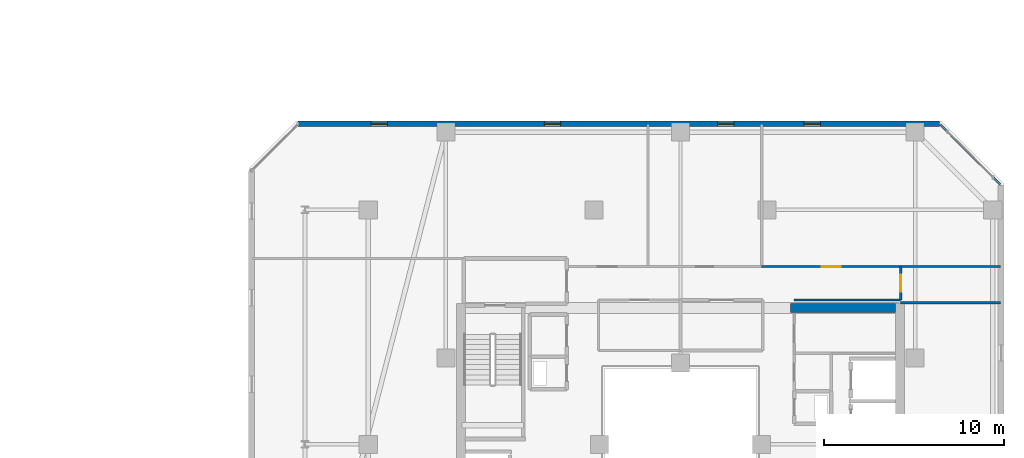
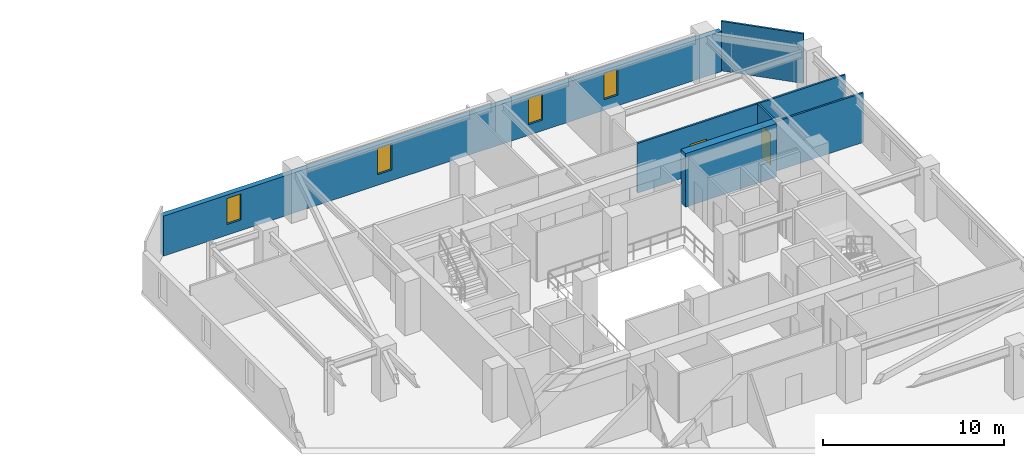
# One storey, part 26 of 33: 8 walls, 4 windows, 2 doors, 6 openings.
"""IFC4 building model written with IfcOpenShell, lengths in metres."""

from ifc_helpers import new_model, si_unit, direction, frame, frame_2d, origin, place, context, subcontext, project, spatial, rectangle, extrude, material, layer, layer_set, type_object, element, fill, save


model = new_model("IFC4")

# Units and contexts
model_context = context("Model", 3, precision=1e-05, world=origin(), true_north=direction((0.0, 1.0)))
body_context = subcontext(model_context, "Body", "Model", "MODEL_VIEW")
ifc_project = project(units=[si_unit("LENGTHUNIT", "METRE"), si_unit("AREAUNIT", "SQUARE_METRE"), si_unit("VOLUMEUNIT", "CUBIC_METRE"), si_unit("PLANEANGLEUNIT", "RADIAN"), si_unit("MASSUNIT", "GRAM", prefix="KILO")], contexts=[model_context])

# Site, building, storey
site_placement = place(None, origin())
site = spatial("IfcSite", under=ifc_project, at=site_placement, CompositionType="ELEMENT")
building_placement = place(site_placement, origin())
building = spatial("IfcBuilding", under=site, at=building_placement, Name="Thornwick Lancets Civic Towers", CompositionType="ELEMENT")
storey_placement = place(building_placement, frame((0.0, 0.0, 210.89990234375)))
storey = spatial("IfcBuildingStorey", under=building, at=storey_placement, Name="L56", CompositionType="ELEMENT", Elevation=210.89990234375)

# Wall
ifc_material_1 = material(Name="Concrete C50/60", Category="concrete")
ifc_layer_1 = layer(ifc_material_1, 0.5, Name="Concrete C50/60")
ifc_layer_set_1 = layer_set([ifc_layer_1], Name="Concrete C50/60")
wall_type_1 = type_object("IfcWallType", Name="WALL_CORE_500", PredefinedType="SHEAR", material=ifc_layer_set_1)
wall_1_placement = place(storey_placement, frame((94.60009765625, 34.550048828125, 0.0), z_axis=(0.0, 0.0, 1.0), x_axis=(1.0, 0.0, 0.0)))
element("IfcWall", 1, at=wall_1_placement, inside=storey, type_object=wall_type_1, Name="L56 Split Core B1 Shear Wall N", PredefinedType="SHEAR", context=body_context, shape_type="SweptSolid", body=[
    extrude(rectangle(XDim=5.7998046875, YDim=0.5, at=frame_2d((2.89990234375, 0.0))), origin(), (0.0, 0.0, 1.0), 3.60009765625),
])

# Wall, openings, windows
ifc_material_2 = material(Name="Insulated buff terracotta rainscreen on concrete C40/50", Category="masonry")
ifc_layer_2 = layer(ifc_material_2, 0.320068359375, Name="Insulated buff terracotta rainscreen on concrete C40/50")
ifc_layer_set_2 = layer_set([ifc_layer_2], Name="Insulated buff terracotta rainscreen on concrete C40/50")
wall_type_2 = type_object("IfcWallType", Name="WALL_EXT_TERRA_320", PredefinedType="STANDARD", material=ifc_layer_set_2)
wall_2_placement = place(storey_placement, frame((102.853515625, 44.761962890625, 0.0), z_axis=(0.0, 0.0, 1.0), x_axis=(-0.999999997144, 7.5574884e-05, 0.0)))
wall_2 = element("IfcWall", 2, at=wall_2_placement, inside=storey, type_object=wall_type_2, Name="L56 Tower B Terracotta Facade Wall E4", PredefinedType="STANDARD", context=body_context, shape_type="SweptSolid", body=[
    extrude(rectangle(XDim=35.534912109375, YDim=0.320068359375, at=frame_2d((17.767578125, 0.0))), origin(), (0.0, 0.0, 1.0), 2.7001953125),
])
opening_1_placement = place(wall_2_placement, frame((6.60009765625, 0.0, 0.719970703125)))
opening_1 = element("IfcOpeningElement", 3, at=opening_1_placement, cuts=wall_2, Name="Opening WL-01", PredefinedType="OPENING", context=body_context, shape_type="SweptSolid", body=[
    extrude(rectangle(XDim=0.89990234375, YDim=1.75, at=frame_2d((0.449951171875, 0.875))), frame((0.0, 0.169921875, 0.0), z_axis=(0.0, -1.0, 0.0), x_axis=(1.0, 0.0, 0.0)), (0.0, 0.0, 1.0), 0.340087890625),
])
opening_2_placement = place(wall_2_placement, frame((11.39990234375, 0.0, 0.719970703125)))
opening_2 = element("IfcOpeningElement", 4, at=opening_2_placement, cuts=wall_2, Name="Opening WL-01", PredefinedType="OPENING", context=body_context, shape_type="SweptSolid", body=[
    extrude(rectangle(XDim=0.89990234375, YDim=1.75, at=frame_2d((0.449951171875, 0.875))), frame((0.0, 0.169921875, 0.0), z_axis=(0.0, -1.0, 0.0), x_axis=(1.0, 0.0, 0.0)), (0.0, 0.0, 1.0), 0.340087890625),
])
opening_3_placement = place(wall_2_placement, frame((21.0, 0.0, 0.719970703125)))
opening_3 = element("IfcOpeningElement", 5, at=opening_3_placement, cuts=wall_2, Name="Opening WL-01", PredefinedType="OPENING", context=body_context, shape_type="SweptSolid", body=[
    extrude(rectangle(XDim=0.89990234375, YDim=1.75, at=frame_2d((0.449951171875, 0.875))), frame((0.0, 0.169921875, 0.0), z_axis=(0.0, -1.0, 0.0), x_axis=(1.0, 0.0, 0.0)), (0.0, 0.0, 1.0), 0.340087890625),
])
opening_4_placement = place(wall_2_placement, frame((30.60009765625, 0.0, 0.719970703125)))
opening_4 = element("IfcOpeningElement", 6, at=opening_4_placement, cuts=wall_2, Name="Opening WL-01", PredefinedType="OPENING", context=body_context, shape_type="SweptSolid", body=[
    extrude(rectangle(XDim=0.89990234375, YDim=1.75, at=frame_2d((0.449951171875, 0.875))), frame((0.0, 0.169921875, 0.0), z_axis=(0.0, -1.0, 0.0), x_axis=(1.0, 0.0, 0.0)), (0.0, 0.0, 1.0), 0.340087890625),
])
ifc_material_3 = material(Name="Clear low-e double glazing in bronze frame", Category="glass")
window_type = type_object("IfcWindowType", Name="WIN_LANCET_900", PartitioningType="SINGLE_PANEL", PredefinedType="WINDOW", material=ifc_material_3)
window_1_placement = place(opening_1_placement, origin())
window_1 = element("IfcWindow", 7, at=window_1_placement, inside=storey, type_object=window_type, Name="L56 Tower B Staggered Lancet Window E4-1", OverallHeight=1.75, OverallWidth=0.89990234375, PartitioningType="SINGLE_PANEL", PredefinedType="WINDOW", context=body_context, shape_type="SweptSolid", body=[
    extrude(rectangle(XDim=0.89990234375, YDim=1.75, at=frame_2d((0.449951171875, 0.875))), frame((0.0, 0.030029296875, 0.0), z_axis=(0.0, -1.0, 0.0), x_axis=(1.0, 0.0, 0.0)), (0.0, 0.0, 1.0), 0.06005859375),
])
fill(opening_1, window_1)
window_2_placement = place(opening_2_placement, origin())
window_2 = element("IfcWindow", 8, at=window_2_placement, inside=storey, type_object=window_type, Name="L56 Tower B Staggered Lancet Window E4-2", OverallHeight=1.75, OverallWidth=0.89990234375, PartitioningType="SINGLE_PANEL", PredefinedType="WINDOW", context=body_context, shape_type="SweptSolid", body=[
    extrude(rectangle(XDim=0.89990234375, YDim=1.75, at=frame_2d((0.449951171875, 0.875))), frame((0.0, 0.030029296875, 0.0), z_axis=(0.0, -1.0, 0.0), x_axis=(1.0, 0.0, 0.0)), (0.0, 0.0, 1.0), 0.06005859375),
])
fill(opening_2, window_2)
window_3_placement = place(opening_3_placement, origin())
window_3 = element("IfcWindow", 9, at=window_3_placement, inside=storey, type_object=window_type, Name="L56 Tower B Staggered Lancet Window E4-3", OverallHeight=1.75, OverallWidth=0.89990234375, PartitioningType="SINGLE_PANEL", PredefinedType="WINDOW", context=body_context, shape_type="SweptSolid", body=[
    extrude(rectangle(XDim=0.89990234375, YDim=1.75, at=frame_2d((0.449951171875, 0.875))), frame((0.0, 0.030029296875, 0.0), z_axis=(0.0, -1.0, 0.0), x_axis=(1.0, 0.0, 0.0)), (0.0, 0.0, 1.0), 0.06005859375),
])
fill(opening_3, window_3)
window_4_placement = place(opening_4_placement, origin())
window_4 = element("IfcWindow", 10, at=window_4_placement, inside=storey, type_object=window_type, Name="L56 Tower B Staggered Lancet Window E4-4", OverallHeight=1.75, OverallWidth=0.89990234375, PartitioningType="SINGLE_PANEL", PredefinedType="WINDOW", context=body_context, shape_type="SweptSolid", body=[
    extrude(rectangle(XDim=0.89990234375, YDim=1.75, at=frame_2d((0.449951171875, 0.875))), frame((0.0, 0.030029296875, 0.0), z_axis=(0.0, -1.0, 0.0), x_axis=(1.0, 0.0, 0.0)), (0.0, 0.0, 1.0), 0.06005859375),
])
fill(opening_4, window_4)

# Wall
ifc_material_4 = material(Name="Acoustic gypsum board partition")
ifc_layer_3 = layer(ifc_material_4, 0.1201171875, Name="Acoustic gypsum board partition")
ifc_layer_set_3 = layer_set([ifc_layer_3], Name="Acoustic gypsum board partition")
wall_type_3 = type_object("IfcWallType", Name="WALL_PART_120", PredefinedType="PARTITIONING", material=ifc_layer_set_3)
wall_3_placement = place(storey_placement, frame((94.800048828125, 35.0, 0.0), z_axis=(0.0, 0.0, 1.0), x_axis=(1.0, 0.0, 0.0)))
element("IfcWall", 11, at=wall_3_placement, inside=storey, type_object=wall_type_3, Name="L56 Partition L56-B-RECLAIM-L E2", PredefinedType="PARTITIONING", context=body_context, shape_type="SweptSolid", body=[
    extrude(rectangle(XDim=5.89990234375, YDim=0.1201171875, at=frame_2d((2.949951171875, 0.0))), origin(), (0.0, 0.0, 1.0), 3.340087890625),
])

# Wall, opening, door
wall_4_placement = place(storey_placement, frame((100.699951171875, 35.0, 0.0), z_axis=(0.0, 0.0, 1.0), x_axis=(0.0, 1.0, 0.0)))
wall_4 = element("IfcWall", 12, at=wall_4_placement, inside=storey, type_object=wall_type_3, Name="L56 Partition L56-B-RECLAIM-L E3", PredefinedType="PARTITIONING", context=body_context, shape_type="SweptSolid", body=[
    extrude(rectangle(XDim=1.85009765625, YDim=0.1201171875, at=frame_2d((0.925048828125, 0.0))), origin(), (0.0, 0.0, 1.0), 3.340087890625),
])
opening_5_placement = place(wall_4_placement, frame((0.449951171875, 0.0, 0.0)))
opening_5 = element("IfcOpeningElement", 13, at=opening_5_placement, cuts=wall_4, Name="Opening D-L56-2513", PredefinedType="OPENING", context=body_context, shape_type="SweptSolid", body=[
    extrude(rectangle(XDim=0.949951171875, YDim=2.10009765625, at=frame_2d((0.47509765625, 1.050048828125))), frame((0.0, 0.070068359375, 0.0), z_axis=(0.0, -1.0, 0.0), x_axis=(1.0, 0.0, 0.0)), (0.0, 0.0, 1.0), 0.14013671875),
])
ifc_material_5 = material(Name="European oak acoustic doorset")
door_type_1 = type_object("IfcDoorType", Name="DOOR_OFFICE_950", OperationType="NOTDEFINED", PredefinedType="DOOR", material=ifc_material_5)
door_1_placement = place(opening_5_placement, origin())
door_1 = element("IfcDoor", 14, at=door_1_placement, inside=storey, type_object=door_type_1, Name="L56 Tower B Parliamentary Drafting Library Door", OperationType="SINGLE_SWING_RIGHT", OverallHeight=2.10009765625, OverallWidth=0.949951171875, PredefinedType="DOOR", context=body_context, shape_type="SweptSolid", body=[
    extrude(rectangle(XDim=0.949951171875, YDim=2.10009765625, at=frame_2d((0.47509765625, 1.050048828125))), frame((0.0, 0.02490234375, 0.0), z_axis=(0.0, -1.0, 0.0), x_axis=(1.0, 0.0, 0.0)), (0.0, 0.0, 1.0), 0.050048828125),
])
fill(opening_5, door_1)

# Walls
for number, where, z_axis, x_axis, name in (
    (15, (100.699951171875, 36.85009765625, 0.0), (0.0, 0.0, 1.0), (1.0, 0.0, 0.0), "L56 Partition L56-B-RECLAIM-L E4"),
    (16, (106.219970703125, 34.85009765625, 0.0), (0.0, 0.0, 1.0), (-1.0, 0.0, 0.0), "L56 Partition L56-B-RECLAIM-L E6"),
):
    element("IfcWall", number, at=place(storey_placement, frame(where, z_axis=z_axis, x_axis=x_axis)), inside=storey, type_object=wall_type_3, Name=name, PredefinedType="PARTITIONING", context=body_context, shape_type="SweptSolid", body=[
        extrude(rectangle(XDim=5.52001953125, YDim=0.1201171875, at=frame_2d((2.760009765625, 0.0))), origin(), (0.0, 0.0, 1.0), 3.340087890625),
    ])

# Wall, opening, door
wall_5_placement = place(storey_placement, frame((100.699951171875, 36.85009765625, 0.0), z_axis=(0.0, 0.0, 1.0), x_axis=(-1.0, 0.0, 0.0)))
wall_5 = element("IfcWall", 17, at=wall_5_placement, inside=storey, type_object=wall_type_3, Name="L56 Partition L56-B-E1 E1", PredefinedType="PARTITIONING", context=body_context, shape_type="SweptSolid", body=[
    extrude(rectangle(XDim=7.699951171875, YDim=0.1201171875, at=frame_2d((3.85009765625, 0.0))), origin(), (0.0, 0.0, 1.0), 3.340087890625),
])
opening_6_placement = place(wall_5_placement, frame((3.324951171875, 0.0, 0.0)))
opening_6 = element("IfcOpeningElement", 18, at=opening_6_placement, cuts=wall_5, Name="Opening D-L56-2520", PredefinedType="OPENING", context=body_context, shape_type="SweptSolid", body=[
    extrude(rectangle(XDim=1.050048828125, YDim=2.10009765625, at=frame_2d((0.52490234375, 1.050048828125))), frame((0.0, 0.070068359375, 0.0), z_axis=(0.0, -1.0, 0.0), x_axis=(1.0, 0.0, 0.0)), (0.0, 0.0, 1.0), 0.14013671875),
])
ifc_material_6 = material(Name="Glazed European oak executive doorset")
door_type_2 = type_object("IfcDoorType", Name="DOOR_OFFICE_1050", OperationType="NOTDEFINED", PredefinedType="DOOR", material=ifc_material_6)
door_2_placement = place(opening_6_placement, origin())
door_2 = element("IfcDoor", 19, at=door_2_placement, inside=storey, type_object=door_type_2, Name="L56 Tower B Secretariat Open Office E1 Door", OperationType="SINGLE_SWING_LEFT", OverallHeight=2.10009765625, OverallWidth=1.050048828125, PredefinedType="DOOR", context=body_context, shape_type="SweptSolid", body=[
    extrude(rectangle(XDim=1.050048828125, YDim=2.10009765625, at=frame_2d((0.52490234375, 1.050048828125))), frame((0.0, 0.02490234375, 0.0), z_axis=(0.0, -1.0, 0.0), x_axis=(1.0, 0.0, 0.0)), (0.0, 0.0, 1.0), 0.050048828125),
])
fill(opening_6, door_2)

# Wall
wall_6_placement = place(storey_placement, frame((102.894287109375, 44.719970703125, 0.0), z_axis=(0.0, 0.0, 1.0), x_axis=(0.707106781187, -0.707106781187, 0.0)))
element("IfcWall", 20, at=wall_6_placement, inside=storey, type_object=wall_type_3, Name="L56 Partition L56-B-E1 E4", PredefinedType="PARTITIONING", context=body_context, shape_type="SweptSolid", body=[
    extrude(rectangle(XDim=4.703125, YDim=0.1201171875, at=frame_2d((2.3515625, 0.0))), origin(), (0.0, 0.0, 1.0), 3.340087890625),
])

save(model, "model.ifc")
